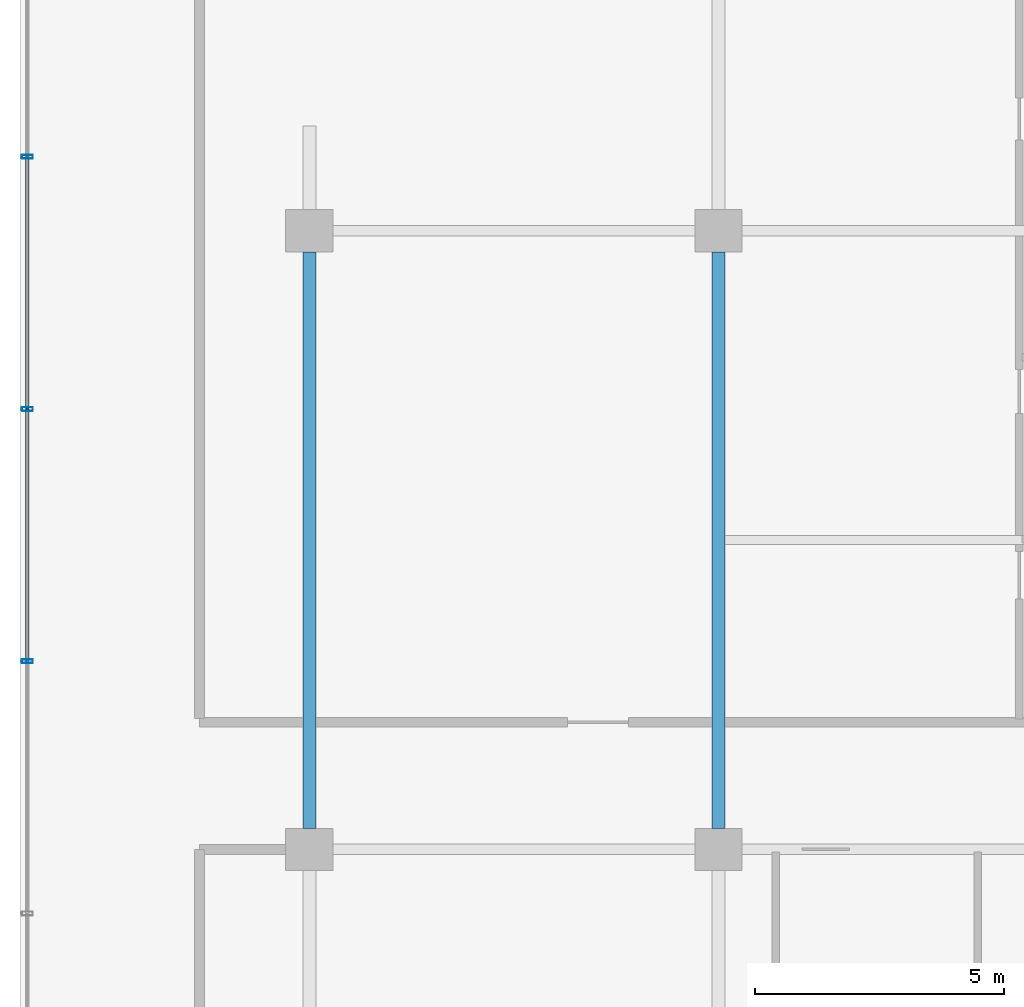
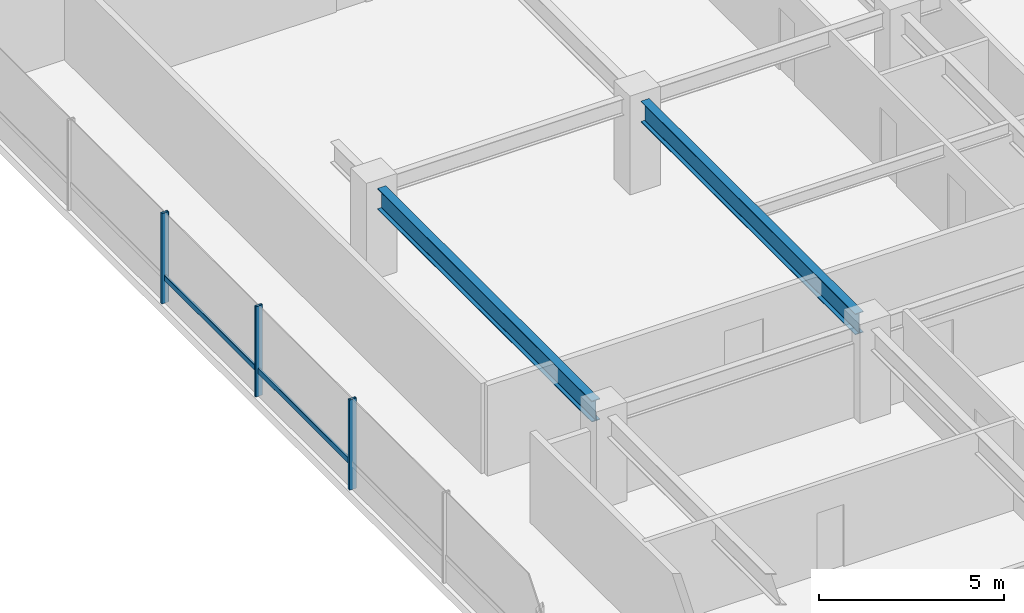
# One storey, part 12 of 38: 5 members, 2 beams, 1 element without a shape of its own.
"""IFC4 building model written with IfcOpenShell, lengths in metres."""

from ifc_helpers import new_model, si_unit, direction, frame, origin, origin_2d, place, context, subcontext, project, spatial, hollow_rectangle, i_section, extrude, material, layer, layer_set, material_profile, profile_set, type_object, element, aggregate, save


model = new_model("IFC4")

# Units and contexts
model_context = context("Model", 3, precision=1e-05, world=origin(), true_north=direction((0.0, 1.0)))
body_context = subcontext(model_context, "Body", "Model", "MODEL_VIEW")
ifc_project = project(units=[si_unit("LENGTHUNIT", "METRE"), si_unit("AREAUNIT", "SQUARE_METRE"), si_unit("VOLUMEUNIT", "CUBIC_METRE"), si_unit("PLANEANGLEUNIT", "RADIAN"), si_unit("MASSUNIT", "GRAM", prefix="KILO")], contexts=[model_context])

# Site, building, storey
site_placement = place(None, origin())
site = spatial("IfcSite", under=ifc_project, at=site_placement, CompositionType="ELEMENT")
building_placement = place(site_placement, origin())
building = spatial("IfcBuilding", under=site, at=building_placement, Name="Korimba Cascade Residences", CompositionType="ELEMENT")
storey_placement = place(building_placement, frame((0.0, 0.0, 93.800048828125)))
storey = spatial("IfcBuildingStorey", under=building, at=storey_placement, Name="L26", CompositionType="ELEMENT", Elevation=93.800048828125)

# Beams
ifc_material_1 = material(Name="Steel S355", Category="steel")
ifc_material_profile_1 = material_profile(ifc_material_1, i_section(OverallWidth=0.255859375, OverallDepth=0.69287109375, WebThickness=0.014404296875, FlangeThickness=0.023681640625, FilletRadius=0.01513671875, at=origin_2d()), Name="Steel S355")
ifc_profile_set_1 = profile_set([ifc_material_profile_1], Name="Steel S355")
beam_type = type_object("IfcBeamType", Name="BM-STL-UB686", PredefinedType="BEAM", material=ifc_profile_set_1)
for number, where, z_axis, x_axis, name in (
    (1, (59.800048828125, 67.625, 2.62353515625), (0.0, 1.0, 0.0), (-1.0, 0.0, 0.0), "L26 T1 N-S Girder X1 Seg 2"),
    (2, (68.0, 67.625, 2.62353515625), (0.0, 1.0, 0.0), (-1.0, 0.0, 0.0), "L26 T1 N-S Girder X2 Seg 2"),
):
    element("IfcBeam", number, at=place(storey_placement, frame(where, z_axis=z_axis, x_axis=x_axis)), inside=storey, type_object=beam_type, Name=name, PredefinedType="BEAM", context=body_context, shape_type="SweptSolid", body=[
        extrude(i_section(OverallWidth=0.255859375, OverallDepth=0.69287109375, WebThickness=0.014404296875, FlangeThickness=0.023681640625, FilletRadius=0.01513671875, at=origin_2d()), origin(), (0.0, 0.0, 1.0), 11.550048828125),
    ])

# Curtain wall, members
ifc_material_2 = material(Name="Anodised Aluminium Curtain Wall Framing", Category="aluminium")
ifc_layer = layer(ifc_material_2, 0.179931640625)
ifc_layer_set = layer_set([ifc_layer], Name="Anodised Aluminium Curtain Wall Framing")
curtain_wall_type = type_object("IfcCurtainWallType", Name="CW-SKY-SYS2", PredefinedType="NOTDEFINED", material=ifc_layer_set)
curtain_wall_placement = place(storey_placement, origin())
curtain_wall = element("IfcCurtainWall", 3, at=curtain_wall_placement, inside=storey, type_object=curtain_wall_type, Name="L26 Curtain Wall CW-L26-T1-E9", PredefinedType="NOTDEFINED")
ifc_material_3 = material(Name="Anodised Aluminium Mullion", Category="aluminium")
ifc_material_profile_2 = material_profile(ifc_material_3, hollow_rectangle(XDim=0.080078125, YDim=0.219970703125, WallThickness=0.00634765625, InnerFilletRadius=0.00634765625, OuterFilletRadius=0.0126953125, at=origin_2d()), Name="Anodised Aluminium Mullion")
ifc_profile_set_2 = profile_set([ifc_material_profile_2], Name="Anodised Aluminium Mullion")
member_type_1 = type_object("IfcMemberType", Name="CWM-MUL-220", PredefinedType="MULLION", material=ifc_profile_set_2)
member_1_placement = place(storey_placement, frame((54.14990234375, 81.085693359375, 0.0), z_axis=(0.0, 0.0, 1.0), x_axis=(0.0, -1.0, 0.0)))
member_1 = element("IfcMember", 4, at=member_1_placement, type_object=member_type_1, Name="CW-L26-T1-E9 Mullion 3", PredefinedType="MULLION", context=body_context, shape_type="SweptSolid", body=[
    extrude(hollow_rectangle(XDim=0.080078125, YDim=0.219970703125, WallThickness=0.00634765625, InnerFilletRadius=0.00634765625, OuterFilletRadius=0.0126953125, at=origin_2d()), origin(), (0.0, 0.0, 1.0), 2.969970703125),
])
member_2_placement = place(storey_placement, frame((54.14990234375, 76.028564453125, 0.0), z_axis=(0.0, 0.0, 1.0), x_axis=(0.0, -1.0, 0.0)))
member_2 = element("IfcMember", 5, at=member_2_placement, type_object=member_type_1, Name="CW-L26-T1-E9 Mullion 4", PredefinedType="MULLION", context=body_context, shape_type="SweptSolid", body=[
    extrude(hollow_rectangle(XDim=0.080078125, YDim=0.219970703125, WallThickness=0.00634765625, InnerFilletRadius=0.00634765625, OuterFilletRadius=0.0126953125, at=origin_2d()), origin(), (0.0, 0.0, 1.0), 2.969970703125),
])
member_3_placement = place(storey_placement, frame((54.14990234375, 70.971435546875, 0.0), z_axis=(0.0, 0.0, 1.0), x_axis=(0.0, -1.0, 0.0)))
member_3 = element("IfcMember", 6, at=member_3_placement, type_object=member_type_1, Name="CW-L26-T1-E9 Mullion 5", PredefinedType="MULLION", context=body_context, shape_type="SweptSolid", body=[
    extrude(hollow_rectangle(XDim=0.080078125, YDim=0.219970703125, WallThickness=0.00634765625, InnerFilletRadius=0.00634765625, OuterFilletRadius=0.0126953125, at=origin_2d()), origin(), (0.0, 0.0, 1.0), 2.969970703125),
])
ifc_material_4 = material(Name="Anodised Aluminium Transom", Category="aluminium")
ifc_material_profile_3 = material_profile(ifc_material_4, hollow_rectangle(XDim=0.070068359375, YDim=0.179931640625, WallThickness=0.0048828125, InnerFilletRadius=0.0048828125, OuterFilletRadius=0.010009765625, at=origin_2d()), Name="Anodised Aluminium Transom")
ifc_profile_set_3 = profile_set([ifc_material_profile_3], Name="Anodised Aluminium Transom")
member_type_2 = type_object("IfcMemberType", Name="CWM-TRN-150", PredefinedType="USERDEFINED", material=ifc_profile_set_3)
member_4_placement = place(storey_placement, frame((54.14990234375, 81.085693359375, 0.83154296875), z_axis=(0.0, -1.0, 0.0), x_axis=(1.0, 0.0, 0.0)))
member_4 = element("IfcMember", 7, at=member_4_placement, type_object=member_type_2, Name="CW-L26-T1-E9 Transom 3", ObjectType="TRANSOM", PredefinedType="USERDEFINED", context=body_context, shape_type="SweptSolid", body=[
    extrude(hollow_rectangle(XDim=0.070068359375, YDim=0.179931640625, WallThickness=0.0048828125, InnerFilletRadius=0.0048828125, OuterFilletRadius=0.010009765625, at=origin_2d()), origin(), (0.0, 0.0, 1.0), 5.05712890625),
])
member_5_placement = place(storey_placement, frame((54.14990234375, 76.028564453125, 0.83154296875), z_axis=(0.0, -1.0, 0.0), x_axis=(1.0, 0.0, 0.0)))
member_5 = element("IfcMember", 8, at=member_5_placement, type_object=member_type_2, Name="CW-L26-T1-E9 Transom 4", ObjectType="TRANSOM", PredefinedType="USERDEFINED", context=body_context, shape_type="SweptSolid", body=[
    extrude(hollow_rectangle(XDim=0.070068359375, YDim=0.179931640625, WallThickness=0.0048828125, InnerFilletRadius=0.0048828125, OuterFilletRadius=0.010009765625, at=origin_2d()), origin(), (0.0, 0.0, 1.0), 5.05712890625),
])
aggregate(curtain_wall, [member_1, member_2, member_3, member_4, member_5])

save(model, "model.ifc")
